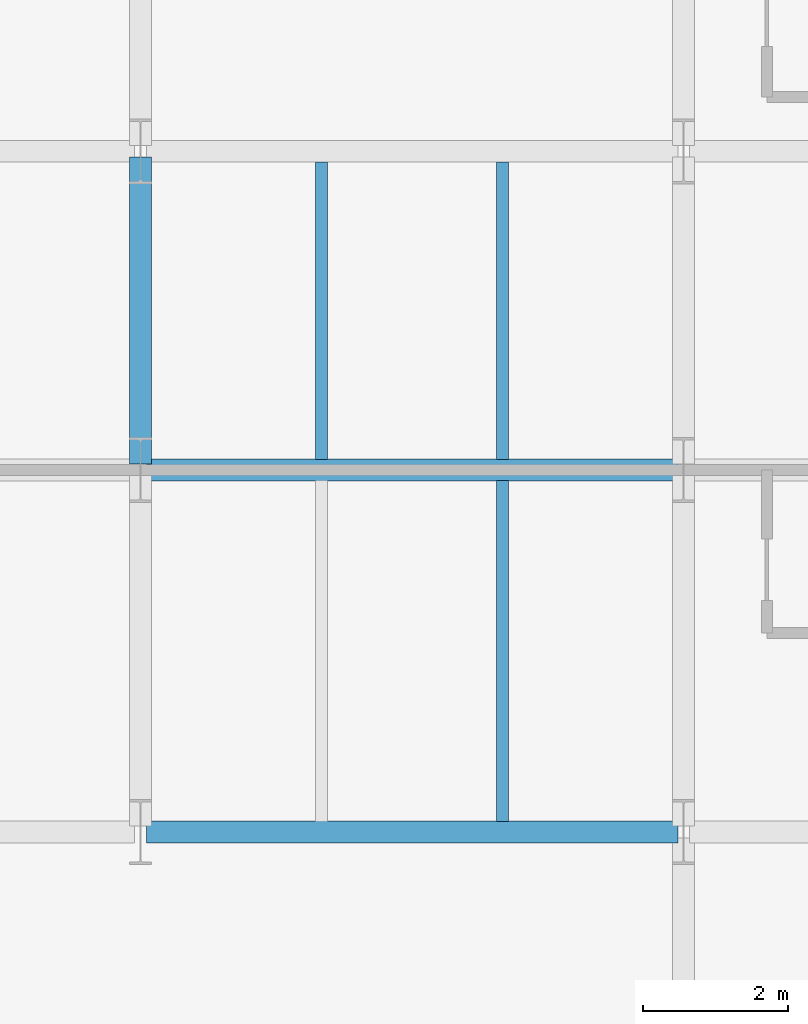
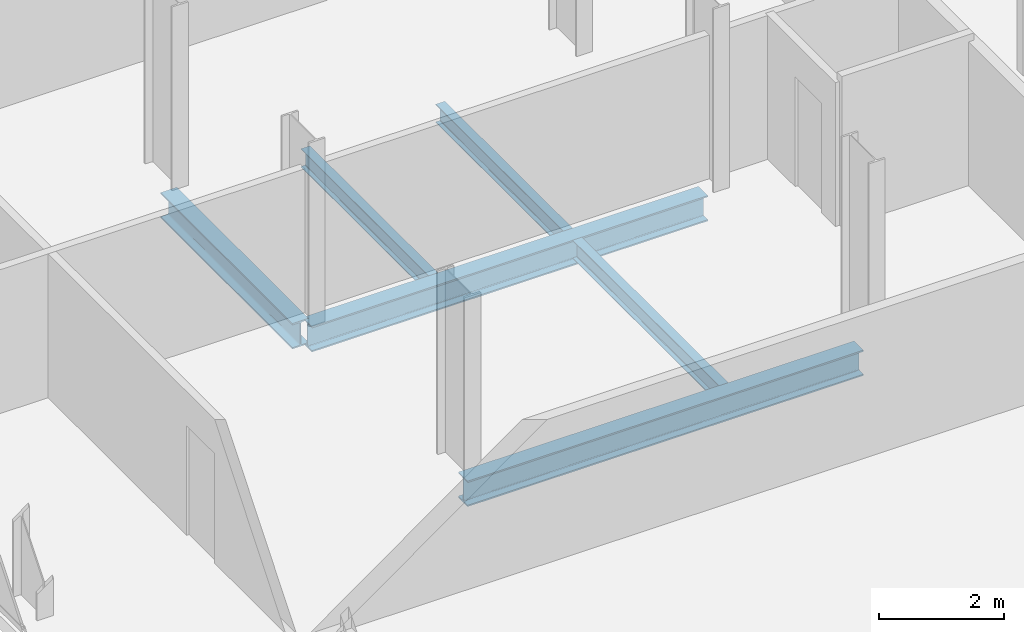
# One storey, part 6 of 33: 6 beams.
"""IFC4 building model written with IfcOpenShell, lengths in metres."""

from ifc_helpers import new_model, si_unit, direction, frame, origin, origin_2d, place, context, subcontext, project, spatial, i_section, extrude, material, material_profile, profile_set, type_object, element, save


model = new_model("IFC4")

# Units and contexts
model_context = context("Model", 3, precision=1e-05, world=origin(), true_north=direction((0.0, 1.0)))
body_context = subcontext(model_context, "Body", "Model", "MODEL_VIEW")
ifc_project = project(units=[si_unit("LENGTHUNIT", "METRE"), si_unit("AREAUNIT", "SQUARE_METRE"), si_unit("VOLUMEUNIT", "CUBIC_METRE"), si_unit("PLANEANGLEUNIT", "RADIAN"), si_unit("MASSUNIT", "GRAM", prefix="KILO")], contexts=[model_context])

# Site, building, storey
site_placement = place(None, origin())
site = spatial("IfcSite", under=ifc_project, at=site_placement, CompositionType="ELEMENT")
building_placement = place(site_placement, origin())
building = spatial("IfcBuilding", under=site, at=building_placement, Name="Catumbela Crestline Tower", CompositionType="ELEMENT")
storey_placement = place(building_placement, frame((0.0, 0.0, 47.4)))
storey = spatial("IfcBuildingStorey", under=building, at=storey_placement, Name="L11", CompositionType="ELEMENT", Elevation=47.4)

# Beams
ifc_material = material(Name="Structural steel S355J2", Category="steel")
ifc_material_profile_1 = material_profile(ifc_material, i_section(OverallWidth=0.3, OverallDepth=0.5, WebThickness=0.0145, FlangeThickness=0.028, FilletRadius=0.027, at=origin_2d()), Name="HEB 500")
ifc_profile_set_1 = profile_set([ifc_material_profile_1], Name="Structural steel S355J2")
beam_type_1 = type_object("IfcBeamType", Name="BG-HEB500", PredefinedType="BEAM", material=ifc_profile_set_1)
for number, where, z_axis, x_axis, name in (
    (1, (8.58, 8.6, -0.51), (1.0, 0.0, 0.0), (0.0, 1.0, 0.0), "L11 Beam BM-L11-WEW49"),
    (2, (8.58, 13.6, -0.51), (1.0, 0.0, 0.0), (0.0, 1.0, 0.0), "L11 Beam BM-L11-WEW52"),
):
    element("IfcBeam", number, at=place(storey_placement, frame(where, z_axis=z_axis, x_axis=x_axis)), inside=storey, type_object=beam_type_1, Name=name, PredefinedType="BEAM", context=body_context, shape_type="SweptSolid", body=[
        extrude(i_section(OverallWidth=0.3, OverallDepth=0.5, WebThickness=0.0145, FlangeThickness=0.028, FilletRadius=0.027, at=origin_2d()), origin(), (0.0, 0.0, 1.0), 7.34),
    ])
beam_1_placement = place(storey_placement, frame((8.5, 13.68, -0.51), z_axis=(0.0, 1.0, 0.0), x_axis=(-1.0, 0.0, 0.0)))
element("IfcBeam", 3, at=beam_1_placement, inside=storey, type_object=beam_type_1, Name="L11 Beam BM-L11-WNS62", PredefinedType="BEAM", context=body_context, shape_type="SweptSolid", body=[
    extrude(i_section(OverallWidth=0.3, OverallDepth=0.5, WebThickness=0.0145, FlangeThickness=0.028, FilletRadius=0.027, at=origin_2d()), origin(), (0.0, 0.0, 1.0), 4.24),
])
ifc_material_profile_2 = material_profile(ifc_material, i_section(OverallWidth=0.17, OverallDepth=0.36, WebThickness=0.008, FlangeThickness=0.0127, FilletRadius=0.018, at=origin_2d()), Name="IPE 360")
ifc_profile_set_2 = profile_set([ifc_material_profile_2], Name="Structural steel S355J2")
beam_type_2 = type_object("IfcBeamType", Name="BJ-IPE360", PredefinedType="JOIST", material=ifc_profile_set_2)
beam_2_placement = place(storey_placement, frame((13.5, 8.747, -0.44), z_axis=(0.0, 1.0, 0.0), x_axis=(-1.0, 0.0, 0.0)))
element("IfcBeam", 4, at=beam_2_placement, inside=storey, type_object=beam_type_2, Name="L11 Joist JS-L11-WG73", PredefinedType="JOIST", context=body_context, shape_type="SweptSolid", body=[
    extrude(i_section(OverallWidth=0.17, OverallDepth=0.36, WebThickness=0.008, FlangeThickness=0.0127, FilletRadius=0.018, at=origin_2d()), origin(), (0.0, 0.0, 1.0), 4.706),
])
for number, where, z_axis, x_axis, name in (
    (5, (11.0, 13.747, -0.44), (0.0, 1.0, 0.0), (-1.0, 0.0, 0.0), "L11 Joist JS-L11-WG78"),
    (6, (13.5, 13.747, -0.44), (0.0, 1.0, 0.0), (-1.0, 0.0, 0.0), "L11 Joist JS-L11-WG79"),
):
    element("IfcBeam", number, at=place(storey_placement, frame(where, z_axis=z_axis, x_axis=x_axis)), inside=storey, type_object=beam_type_2, Name=name, PredefinedType="JOIST", context=body_context, shape_type="SweptSolid", body=[
        extrude(i_section(OverallWidth=0.17, OverallDepth=0.36, WebThickness=0.008, FlangeThickness=0.0127, FilletRadius=0.018, at=origin_2d()), origin(), (0.0, 0.0, 1.0), 4.106),
    ])

save(model, "model.ifc")
